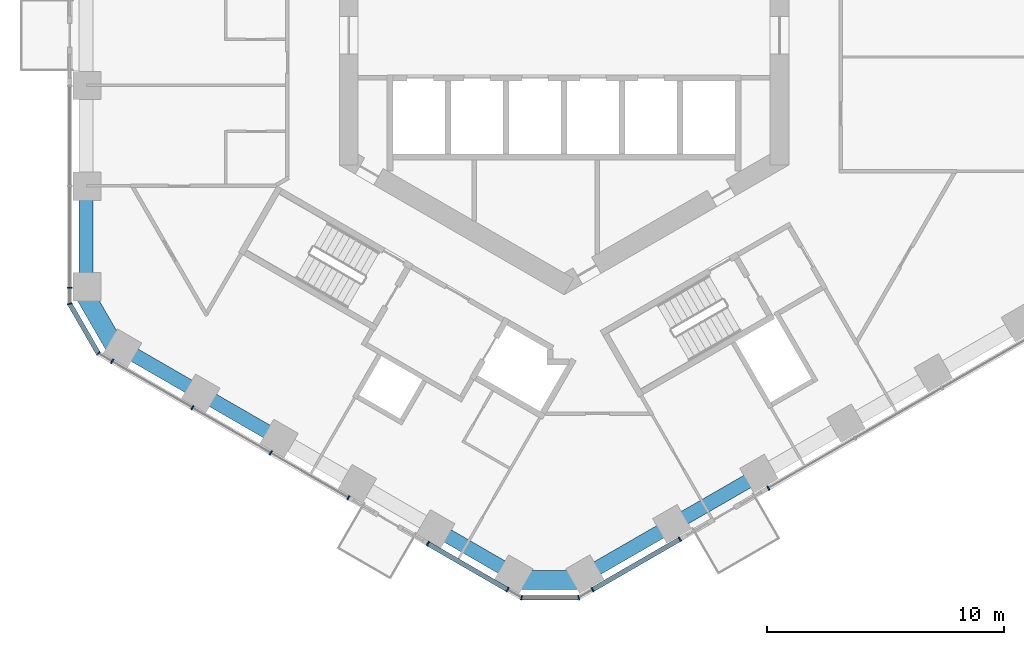
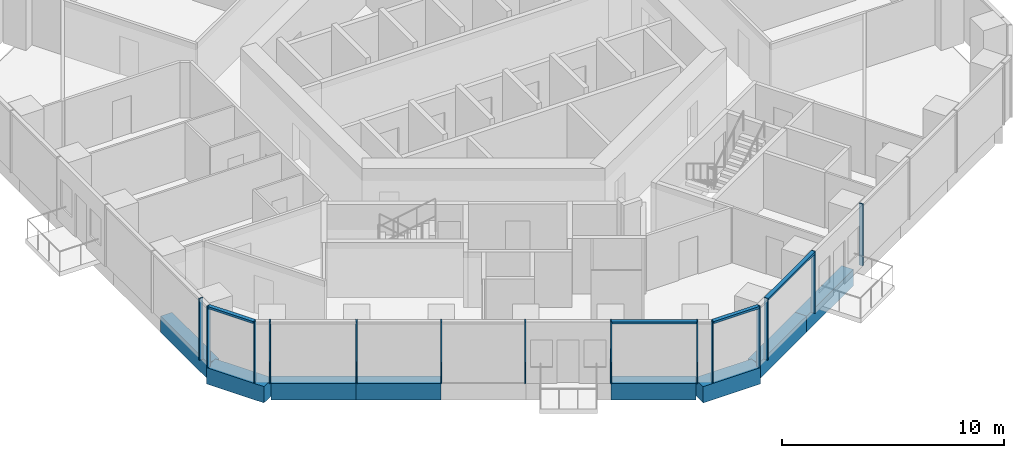
# One storey, part 2 of 20: 18 members, 8 beams, 7 elements without a shape of their own.
"""IFC4 building model written with IfcOpenShell, lengths in metres."""

from ifc_helpers import new_model, si_unit, direction, frame, origin, origin_2d, place, context, subcontext, project, spatial, rectangle, extrude, material, layer, layer_set, material_profile, profile_set, type_object, element, aggregate, save


model = new_model("IFC4")

# Units and contexts
model_context = context("Model", 3, precision=1e-05, world=origin(), true_north=direction((0.0, 1.0)))
body_context = subcontext(model_context, "Body", "Model", "MODEL_VIEW")
ifc_project = project(units=[si_unit("LENGTHUNIT", "METRE"), si_unit("AREAUNIT", "SQUARE_METRE"), si_unit("VOLUMEUNIT", "CUBIC_METRE"), si_unit("PLANEANGLEUNIT", "RADIAN"), si_unit("MASSUNIT", "GRAM", prefix="KILO")], contexts=[model_context])

# Site, building, storey
site_placement = place(None, origin())
site = spatial("IfcSite", under=ifc_project, at=site_placement, CompositionType="ELEMENT")
building_placement = place(site_placement, origin())
building = spatial("IfcBuilding", under=site, at=building_placement, Name="Ayvan Gate Tower", CompositionType="ELEMENT")
storey_placement = place(building_placement, frame((0.0, 0.0, 59.5)))
storey = spatial("IfcBuildingStorey", under=building, at=storey_placement, Name="L15", CompositionType="ELEMENT", Elevation=59.5)

# Beams
ifc_material_1 = material(Name="Concrete C40/50", Category="concrete")
ifc_material_profile_1 = material_profile(ifc_material_1, rectangle(XDim=0.800048828125, YDim=0.89990234375, at=origin_2d()), Name="RC 800x900")
ifc_profile_set_1 = profile_set([ifc_material_profile_1], Name="Concrete C40/50")
beam_type_1 = type_object("IfcBeamType", Name="Corner spandrel beam RC 800x900 C40/50", PredefinedType="BEAM", material=ifc_profile_set_1)
beam_1_placement = place(storey_placement, frame((-20.3955078125, -10.712646484375, -0.800048828125), z_axis=(0.50002537861, -0.866010750942, 0.0), x_axis=(0.866010750942, 0.50002537861, 0.0)))
element("IfcBeam", 1, at=beam_1_placement, inside=storey, type_object=beam_type_1, Name="SB-L15-24", PredefinedType="BEAM", context=body_context, shape_type="SweptSolid", body=[
    extrude(rectangle(XDim=0.800048828125, YDim=0.89990234375, at=origin_2d()), origin(), (0.0, 0.0, 1.0), 2.999755859375),
])
beam_2_placement = place(storey_placement, frame((-2.07958984375, -23.019287109375, -0.800048828125), z_axis=(1.0, 0.0, 0.0), x_axis=(0.0, 1.0, 0.0)))
element("IfcBeam", 2, at=beam_2_placement, inside=storey, type_object=beam_type_1, Name="SB-L15-30", PredefinedType="BEAM", context=body_context, shape_type="SweptSolid", body=[
    extrude(rectangle(XDim=0.800048828125, YDim=0.89990234375, at=origin_2d()), origin(), (0.0, 0.0, 1.0), 3.0),
])
ifc_material_profile_2 = material_profile(ifc_material_1, rectangle(XDim=0.60009765625, YDim=0.89990234375, at=origin_2d()), Name="RC 600x900")
ifc_profile_set_2 = profile_set([ifc_material_profile_2], Name="Concrete C40/50")
beam_type_2 = type_object("IfcBeamType", Name="Spandrel beam RC 600x900 C40/50", PredefinedType="BEAM", material=ifc_profile_set_2)
beam_3_placement = place(storey_placement, frame((-20.205078125, -6.361572265625, -0.800048828125), z_axis=(0.0, -1.0, 0.0), x_axis=(1.0, 0.0, 0.0)))
element("IfcBeam", 3, at=beam_3_placement, inside=storey, type_object=beam_type_2, Name="SB-L15-23", PredefinedType="BEAM", context=body_context, shape_type="SweptSolid", body=[
    extrude(rectangle(XDim=0.60009765625, YDim=0.89990234375, at=origin_2d()), origin(), (0.0, 0.0, 1.0), 4.240966796875),
])
beam_4_placement = place(storey_placement, frame((-18.705078125, -13.20068359375, -0.800048828125), z_axis=(0.866039463868, -0.499975646431, 0.0), x_axis=(0.499975646431, 0.866039463868, 0.0)))
element("IfcBeam", 4, at=beam_4_placement, inside=storey, type_object=beam_type_2, Name="SB-L15-25", PredefinedType="BEAM", context=body_context, shape_type="SweptSolid", body=[
    extrude(rectangle(XDim=0.60009765625, YDim=0.89990234375, at=origin_2d()), origin(), (0.0, 0.0, 1.0), 3.839599609375),
])
for number, where, z_axis, x_axis, name in (
    (5, (-15.3798828125, -15.120361328125, -0.800048828125), (0.866023567637, -0.500003180287, 0.0), (0.500003180287, 0.866023567637, 0.0), "SB-L15-26"),
    (6, (-5.404541015625, -20.879638671875, -0.800048828125), (0.866023567637, -0.500003180287, 0.0), (0.500003180287, 0.866023567637, 0.0), "SB-L15-29"),
):
    element("IfcBeam", number, at=place(storey_placement, frame(where, z_axis=z_axis, x_axis=x_axis)), inside=storey, type_object=beam_type_2, Name=name, PredefinedType="BEAM", context=body_context, shape_type="SweptSolid", body=[
        extrude(rectangle(XDim=0.60009765625, YDim=0.89990234375, at=origin_2d()), origin(), (0.0, 0.0, 1.0), 3.83935546875),
    ])
for number, where, z_axis, x_axis, name in (
    (7, (0.92041015625, -22.79931640625, -0.800048828125), (0.8660417918, 0.499971614051, 0.0), (-0.499971614051, 0.8660417918, 0.0), "SB-L15-31"),
    (8, (4.59326171875, -20.678955078125, -0.800048828125), (0.866016865031, 0.500014789262, 0.0), (-0.500014789262, 0.866016865031, 0.0), "SB-L15-32"),
):
    element("IfcBeam", number, at=place(storey_placement, frame(where, z_axis=z_axis, x_axis=x_axis)), inside=storey, type_object=beam_type_2, Name=name, PredefinedType="BEAM", context=body_context, shape_type="SweptSolid", body=[
        extrude(rectangle(XDim=0.60009765625, YDim=0.89990234375, at=origin_2d()), origin(), (0.0, 0.0, 1.0), 4.240966796875),
    ])

# Curtain wall, member
ifc_material_2 = material(Name="Bronze anodised aluminium", Category="aluminium")
ifc_layer_1 = layer(ifc_material_2, 0.199951171875)
ifc_layer_set_1 = layer_set([ifc_layer_1], Name="Bronze anodised aluminium")
curtain_wall_type_1 = type_object("IfcCurtainWallType", Name="Stick curtain wall CW-1", PredefinedType="NOTDEFINED", material=ifc_layer_set_1)
curtain_wall_1_placement = place(storey_placement, origin())
curtain_wall_1 = element("IfcCurtainWall", 9, at=curtain_wall_1_placement, inside=storey, type_object=curtain_wall_type_1, Name="Stick curtain wall CW-1 L15", PredefinedType="NOTDEFINED")
ifc_material_profile_3 = material_profile(ifc_material_2, rectangle(XDim=0.199951171875, YDim=0.06005859375, at=origin_2d()), Name="Stick curtain wall CW-1 mullion 200 x 60")
ifc_profile_set_3 = profile_set([ifc_material_profile_3], Name="Bronze anodised aluminium")
member_type_1 = type_object("IfcMemberType", Name="Stick curtain wall CW-1 mullion 200 x 60", PredefinedType="MULLION", material=ifc_profile_set_3)
member_1_placement = place(storey_placement, frame((-20.89111328125, -10.6728515625, 0.0), z_axis=(0.0, 0.0, 1.0), x_axis=(-1.0, 0.0, 0.0)))
member_1 = element("IfcMember", 10, at=member_1_placement, type_object=member_type_1, Name="CW-1 mullion 3", PredefinedType="MULLION", context=body_context, shape_type="SweptSolid", body=[
    extrude(rectangle(XDim=0.199951171875, YDim=0.06005859375, at=origin_2d()), origin(), (0.0, 0.0, 1.0), 3.39990234375),
])
aggregate(curtain_wall_1, [member_1])

# Curtain wall, members
curtain_wall_2_placement = place(storey_placement, origin())
curtain_wall_2 = element("IfcCurtainWall", 11, at=curtain_wall_2_placement, inside=storey, type_object=curtain_wall_type_1, Name="Stick curtain wall CW-1 L15", PredefinedType="NOTDEFINED")
member_2_placement = place(storey_placement, frame((-19.094970703125, -13.78369140625, 0.0), z_axis=(0.0, 0.0, 1.0), x_axis=(-0.5, -0.866025403784, 0.0)))
member_2 = element("IfcMember", 12, at=member_2_placement, type_object=member_type_1, Name="CW-1 mullion 1", PredefinedType="MULLION", context=body_context, shape_type="SweptSolid", body=[
    extrude(rectangle(XDim=0.199951171875, YDim=0.06005859375, at=origin_2d()), origin(), (0.0, 0.0, 1.0), 3.39990234375),
])
member_3_placement = place(storey_placement, frame((-15.70361328125, -15.74169921875, 0.0), z_axis=(0.0, 0.0, 1.0), x_axis=(-0.5, -0.866025403784, 0.0)))
member_3 = element("IfcMember", 13, at=member_3_placement, type_object=member_type_1, Name="CW-1 mullion 2", PredefinedType="MULLION", context=body_context, shape_type="SweptSolid", body=[
    extrude(rectangle(XDim=0.199951171875, YDim=0.06005859375, at=origin_2d()), origin(), (0.0, 0.0, 1.0), 3.39990234375),
])
member_4_placement = place(storey_placement, frame((-12.396240234375, -17.6513671875, 0.0), z_axis=(0.0, 0.0, 1.0), x_axis=(-0.5, -0.866025403784, 0.0)))
member_4 = element("IfcMember", 14, at=member_4_placement, type_object=member_type_1, Name="CW-1 mullion 3", PredefinedType="MULLION", context=body_context, shape_type="SweptSolid", body=[
    extrude(rectangle(XDim=0.199951171875, YDim=0.06005859375, at=origin_2d()), origin(), (0.0, 0.0, 1.0), 3.39990234375),
])
member_5_placement = place(storey_placement, frame((-9.114013671875, -19.54638671875, 0.0), z_axis=(0.0, 0.0, 1.0), x_axis=(-0.5, -0.866025403784, 0.0)))
member_5 = element("IfcMember", 15, at=member_5_placement, type_object=member_type_1, Name="CW-1 mullion 4", PredefinedType="MULLION", context=body_context, shape_type="SweptSolid", body=[
    extrude(rectangle(XDim=0.199951171875, YDim=0.06005859375, at=origin_2d()), origin(), (0.0, 0.0, 1.0), 3.39990234375),
])
aggregate(curtain_wall_2, [member_2, member_3, member_4, member_5])

curtain_wall_3_placement = place(storey_placement, origin())
curtain_wall_3 = element("IfcCurtainWall", 16, at=curtain_wall_3_placement, inside=storey, type_object=curtain_wall_type_1, Name="Stick curtain wall CW-1 L15", PredefinedType="NOTDEFINED")
member_6_placement = place(storey_placement, frame((-5.754638671875, -21.48583984375, 0.0), z_axis=(0.0, 0.0, 1.0), x_axis=(-0.5, -0.866025403784, 0.0)))
member_6 = element("IfcMember", 17, at=member_6_placement, type_object=member_type_1, Name="CW-1 mullion 1", PredefinedType="MULLION", context=body_context, shape_type="SweptSolid", body=[
    extrude(rectangle(XDim=0.199951171875, YDim=0.06005859375, at=origin_2d()), origin(), (0.0, 0.0, 1.0), 3.39990234375),
])
member_7_placement = place(storey_placement, frame((-2.3896484375, -23.4287109375, 0.0), z_axis=(0.0, 0.0, 1.0), x_axis=(-0.5, -0.866025403784, 0.0)))
member_7 = element("IfcMember", 18, at=member_7_placement, type_object=member_type_1, Name="CW-1 mullion 2", PredefinedType="MULLION", context=body_context, shape_type="SweptSolid", body=[
    extrude(rectangle(XDim=0.199951171875, YDim=0.06005859375, at=origin_2d()), origin(), (0.0, 0.0, 1.0), 3.39990234375),
])

curtain_wall_4_placement = place(storey_placement, origin())
curtain_wall_4 = element("IfcCurtainWall", 19, at=curtain_wall_4_placement, inside=storey, type_object=curtain_wall_type_1, Name="Stick curtain wall CW-1 L15", PredefinedType="NOTDEFINED")
member_8_placement = place(storey_placement, frame((1.20263671875, -23.4287109375, 0.0), z_axis=(0.0, 0.0, 1.0), x_axis=(0.5, -0.866025403784, 0.0)))
member_8 = element("IfcMember", 20, at=member_8_placement, type_object=member_type_1, Name="CW-1 mullion 1", PredefinedType="MULLION", context=body_context, shape_type="SweptSolid", body=[
    extrude(rectangle(XDim=0.199951171875, YDim=0.06005859375, at=origin_2d()), origin(), (0.0, 0.0, 1.0), 3.39990234375),
])
member_9_placement = place(storey_placement, frame((4.897216796875, -21.295654296875, 0.0), z_axis=(0.0, 0.0, 1.0), x_axis=(0.5, -0.866025403784, 0.0)))
member_9 = element("IfcMember", 21, at=member_9_placement, type_object=member_type_1, Name="CW-1 mullion 2", PredefinedType="MULLION", context=body_context, shape_type="SweptSolid", body=[
    extrude(rectangle(XDim=0.199951171875, YDim=0.06005859375, at=origin_2d()), origin(), (0.0, 0.0, 1.0), 3.39990234375),
])

# Curtain wall, member
curtain_wall_5_placement = place(storey_placement, origin())
curtain_wall_5 = element("IfcCurtainWall", 22, at=curtain_wall_5_placement, inside=storey, type_object=curtain_wall_type_1, Name="Stick curtain wall CW-1 L15", PredefinedType="NOTDEFINED")
member_10_placement = place(storey_placement, frame((8.630615234375, -19.14013671875, 0.0), z_axis=(0.0, 0.0, 1.0), x_axis=(0.5, -0.866025403784, 0.0)))
member_10 = element("IfcMember", 23, at=member_10_placement, type_object=member_type_1, Name="CW-1 mullion 1", PredefinedType="MULLION", context=body_context, shape_type="SweptSolid", body=[
    extrude(rectangle(XDim=0.199951171875, YDim=0.06005859375, at=origin_2d()), origin(), (0.0, 0.0, 1.0), 3.39990234375),
])
aggregate(curtain_wall_5, [member_10])

# Member
ifc_material_profile_4 = material_profile(ifc_material_2, rectangle(XDim=0.199951171875, YDim=0.1201171875, at=origin_2d()), Name="Stick curtain wall CW-1 transom 200 x 120")
ifc_profile_set_4 = profile_set([ifc_material_profile_4], Name="Bronze anodised aluminium")
member_type_2 = type_object("IfcMemberType", Name="Stick curtain wall CW-1 transom 200 x 120", PredefinedType="USERDEFINED", material=ifc_profile_set_4)
member_11_placement = place(storey_placement, frame((-5.754638671875, -21.48583984375, 3.340087890625), z_axis=(0.866015031168, -0.500017965468, 0.0), x_axis=(0.500017965468, 0.866015031168, 0.0)))
member_11 = element("IfcMember", 24, at=member_11_placement, type_object=member_type_2, Name="CW-1 transom 1", ObjectType="TRANSOM", PredefinedType="USERDEFINED", context=body_context, shape_type="SweptSolid", body=[
    extrude(rectangle(XDim=0.199951171875, YDim=0.1201171875, at=origin_2d()), origin(), (0.0, 0.0, 1.0), 3.885498046875),
])

aggregate(curtain_wall_3, [member_6, member_7, member_11])

member_12_placement = place(storey_placement, frame((1.20263671875, -23.4287109375, 3.340087890625), z_axis=(0.86602643523, 0.49999821348, 0.0), x_axis=(-0.49999821348, 0.86602643523, 0.0)))
member_12 = element("IfcMember", 25, at=member_12_placement, type_object=member_type_2, Name="CW-1 transom 1", ObjectType="TRANSOM", PredefinedType="USERDEFINED", context=body_context, shape_type="SweptSolid", body=[
    extrude(rectangle(XDim=0.199951171875, YDim=0.1201171875, at=origin_2d()), origin(), (0.0, 0.0, 1.0), 4.26611328125),
])

aggregate(curtain_wall_4, [member_8, member_9, member_12])

# Curtain wall, members
ifc_layer_2 = layer(ifc_material_2, 0.199951171875)
ifc_layer_set_2 = layer_set([ifc_layer_2], Name="Bronze anodised aluminium")
curtain_wall_type_2 = type_object("IfcCurtainWallType", Name="Stick curtain wall CW-6", PredefinedType="NOTDEFINED", material=ifc_layer_set_2)
curtain_wall_6_placement = place(storey_placement, origin())
curtain_wall_6 = element("IfcCurtainWall", 26, at=curtain_wall_6_placement, inside=storey, type_object=curtain_wall_type_2, Name="Stick curtain wall CW-6 L15", PredefinedType="NOTDEFINED")
ifc_material_profile_5 = material_profile(ifc_material_2, rectangle(XDim=0.199951171875, YDim=0.050048828125, at=origin_2d()), Name="Stick curtain wall CW-6 mullion 200 x 50")
ifc_profile_set_5 = profile_set([ifc_material_profile_5], Name="Bronze anodised aluminium")
member_type_3 = type_object("IfcMemberType", Name="Stick curtain wall CW-6 mullion 200 x 50", PredefinedType="MULLION", material=ifc_profile_set_5)
member_13_placement = place(storey_placement, frame((-20.89111328125, -11.352783203125, 0.0), z_axis=(0.0, 0.0, 1.0), x_axis=(-0.965925826289, -0.258819045103, 0.0)))
member_13 = element("IfcMember", 27, at=member_13_placement, type_object=member_type_3, Name="CW-6 mullion 2", PredefinedType="MULLION", context=body_context, shape_type="SweptSolid", body=[
    extrude(rectangle(XDim=0.199951171875, YDim=0.050048828125, at=origin_2d()), origin(), (0.0, 0.0, 1.0), 3.39990234375),
])
member_14_placement = place(storey_placement, frame((-19.683837890625, -13.44384765625, 0.0), z_axis=(0.0, 0.0, 1.0), x_axis=(-0.707106781187, -0.707106781187, 0.0)))
member_14 = element("IfcMember", 28, at=member_14_placement, type_object=member_type_3, Name="CW-6 mullion 3", PredefinedType="MULLION", context=body_context, shape_type="SweptSolid", body=[
    extrude(rectangle(XDim=0.199951171875, YDim=0.050048828125, at=origin_2d()), origin(), (0.0, 0.0, 1.0), 3.39990234375),
])

curtain_wall_7_placement = place(storey_placement, origin())
curtain_wall_7 = element("IfcCurtainWall", 29, at=curtain_wall_7_placement, inside=storey, type_object=curtain_wall_type_2, Name="Stick curtain wall CW-6 L15", PredefinedType="NOTDEFINED")
member_15_placement = place(storey_placement, frame((-1.80078125, -23.7685546875, 0.0), z_axis=(0.0, 0.0, 1.0), x_axis=(-0.258819045103, -0.965925826289, 0.0)))
member_15 = element("IfcMember", 30, at=member_15_placement, type_object=member_type_3, Name="CW-6 mullion 2", PredefinedType="MULLION", context=body_context, shape_type="SweptSolid", body=[
    extrude(rectangle(XDim=0.199951171875, YDim=0.050048828125, at=origin_2d()), origin(), (0.0, 0.0, 1.0), 3.39990234375),
])
member_16_placement = place(storey_placement, frame((0.61376953125, -23.7685546875, 0.0), z_axis=(0.0, 0.0, 1.0), x_axis=(0.258819045103, -0.965925826289, 0.0)))
member_16 = element("IfcMember", 31, at=member_16_placement, type_object=member_type_3, Name="CW-6 mullion 3", PredefinedType="MULLION", context=body_context, shape_type="SweptSolid", body=[
    extrude(rectangle(XDim=0.199951171875, YDim=0.050048828125, at=origin_2d()), origin(), (0.0, 0.0, 1.0), 3.39990234375),
])

# Member
ifc_material_profile_6 = material_profile(ifc_material_2, rectangle(XDim=0.199951171875, YDim=0.1201171875, at=origin_2d()), Name="Stick curtain wall CW-6 transom 200 x 120")
ifc_profile_set_6 = profile_set([ifc_material_profile_6], Name="Bronze anodised aluminium")
member_type_4 = type_object("IfcMemberType", Name="Stick curtain wall CW-6 transom 200 x 120", PredefinedType="USERDEFINED", material=ifc_profile_set_6)
member_17_placement = place(storey_placement, frame((-20.878662109375, -11.37451171875, 3.340087890625), z_axis=(0.500059108572, -0.865991274745, 0.0), x_axis=(0.865991274745, 0.500059108572, 0.0)))
member_17 = element("IfcMember", 32, at=member_17_placement, type_object=member_type_4, Name="CW-6 transom 2", ObjectType="TRANSOM", PredefinedType="USERDEFINED", context=body_context, shape_type="SweptSolid", body=[
    extrude(rectangle(XDim=0.199951171875, YDim=0.1201171875, at=origin_2d()), origin(), (0.0, 0.0, 1.0), 2.364501953125),
])

aggregate(curtain_wall_6, [member_13, member_14, member_17])

member_18_placement = place(storey_placement, frame((-1.775634765625, -23.7685546875, 3.340087890625), z_axis=(1.0, 0.0, 0.0), x_axis=(0.0, 1.0, 0.0)))
member_18 = element("IfcMember", 33, at=member_18_placement, type_object=member_type_4, Name="CW-6 transom 2", ObjectType="TRANSOM", PredefinedType="USERDEFINED", context=body_context, shape_type="SweptSolid", body=[
    extrude(rectangle(XDim=0.199951171875, YDim=0.1201171875, at=origin_2d()), origin(), (0.0, 0.0, 1.0), 2.364501953125),
])

aggregate(curtain_wall_7, [member_15, member_16, member_18])

save(model, "model.ifc")
